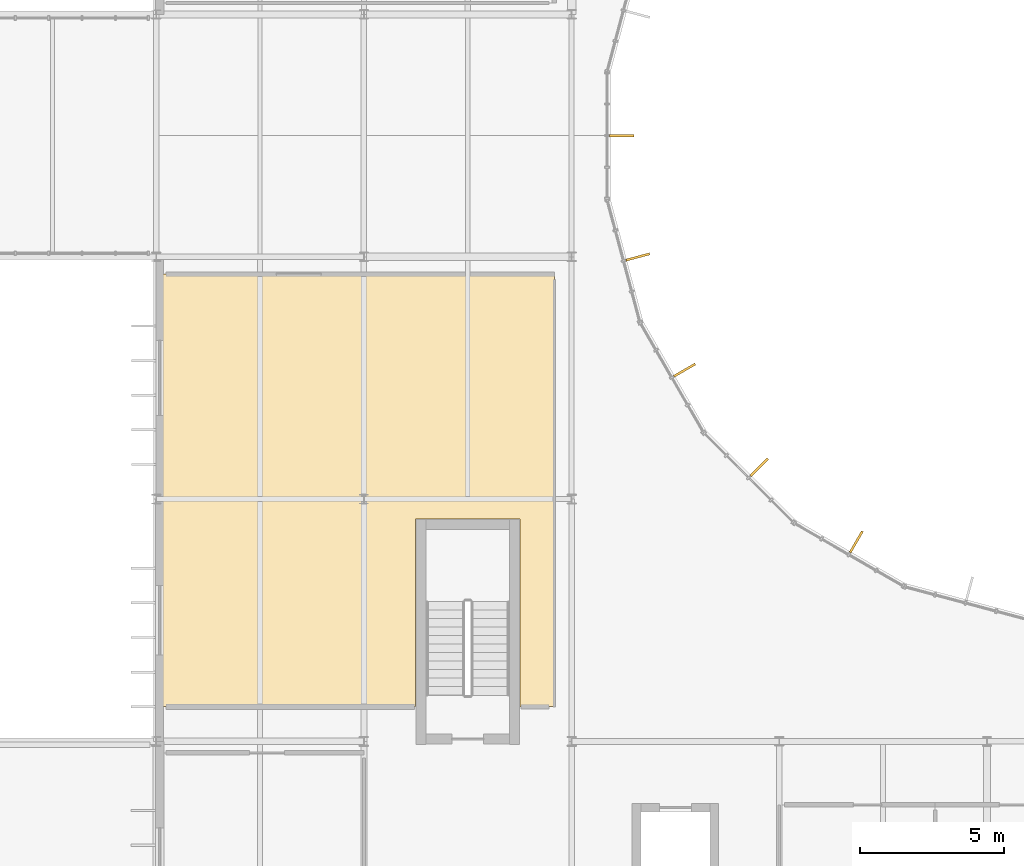
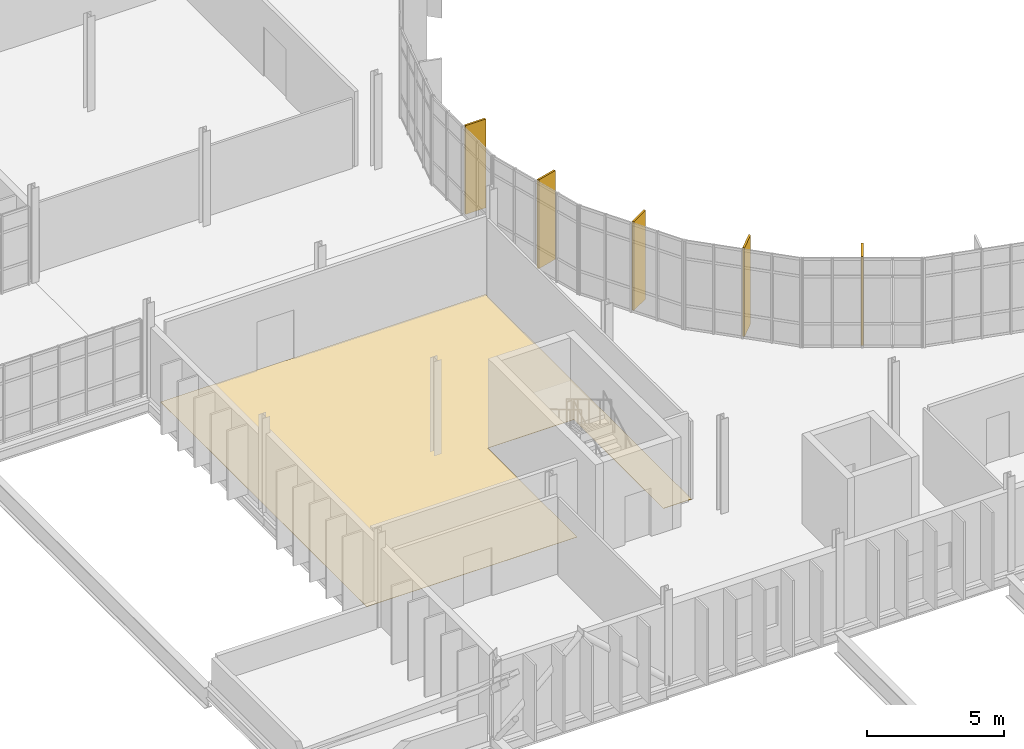
# One storey, part 89 of 99: 5 shading devices, 1 covering.
"""IFC4 building model written with IfcOpenShell, lengths in metres."""

from ifc_helpers import new_model, si_unit, direction, frame, origin, origin_2d, place, context, subcontext, project, spatial, polyline, rectangle, outline, extrude, material, layer, layer_set, type_object, element, save


model = new_model("IFC4")

# Units and contexts
model_context = context("Model", 3, precision=1e-05, world=origin(), true_north=direction((0.0, 1.0)))
body_context = subcontext(model_context, "Body", "Model", "MODEL_VIEW")
ifc_project = project(units=[si_unit("LENGTHUNIT", "METRE"), si_unit("AREAUNIT", "SQUARE_METRE"), si_unit("VOLUMEUNIT", "CUBIC_METRE"), si_unit("PLANEANGLEUNIT", "RADIAN"), si_unit("MASSUNIT", "GRAM", prefix="KILO")], contexts=[model_context])

# Site, building, storey
site_placement = place(None, origin())
site = spatial("IfcSite", under=ifc_project, at=site_placement, CompositionType="ELEMENT")
building_placement = place(site_placement, origin())
building = spatial("IfcBuilding", under=site, at=building_placement, Name="Qelthora Terrace Specialist Clinic", CompositionType="ELEMENT")
storey_placement = place(building_placement, frame((0.0, 0.0, 9.0)))
storey = spatial("IfcBuildingStorey", under=building, at=storey_placement, Name="L02", CompositionType="ELEMENT", Elevation=9.0)

# Covering
ifc_material_1 = material(Name="Antimicrobial clinical linoleum flooring", Category="other")
ifc_layer = layer(ifc_material_1, 0.011962890625)
ifc_layer_set = layer_set([ifc_layer], Name="Antimicrobial clinical linoleum flooring")
covering_type = type_object("IfcCoveringType", Name="COV-FLR-LINO-12", PredefinedType="FLOORING", material=ifc_layer_set)
covering_placement = place(storey_placement, origin())
element("IfcCovering", 1, at=covering_placement, inside=storey, type_object=covering_type, Name="Oncology Survivorship Clinic South L02-40B resilient linoleum flooring", PredefinedType="FLOORING", context=body_context, shape_type="SweptSolid", body=[
    extrude(outline(polyline([(106.2099609375, 43.199951171875), (106.2099609375, 49.7099609375), (102.590087890625, 49.7099609375), (102.590087890625, 43.199951171875), (93.75, 43.199951171875), (93.75, 58.199951171875), (107.39990234375, 58.199951171875), (107.39990234375, 43.199951171875), (106.2099609375, 43.199951171875)])), origin(), (0.0, 0.0, 1.0), 0.011962890625),
])

# Shading devices
ifc_material_2 = material(Name="Glulam timber GL28h", Category="wood")
shading_device_type = type_object("IfcShadingDeviceType", Name="SHD-FIN-850", PredefinedType="USERDEFINED", material=ifc_material_2)
for number, where, z_axis, x_axis, name in (
    (2, (109.73876953125, 63.0, 0.0), (0.0, 0.0, 1.0), (1.0, 0.0, 0.0), "Court solar fin FIN-0058"),
    (3, (110.292724609375, 58.791259765625, 0.0), (0.0, 0.0, 1.0), (0.965925826289, 0.258819045103, 0.0), "Court solar fin FIN-0059"),
    (4, (111.917236328125, 54.869384765625, 0.0), (0.0, 0.0, 1.0), (0.866025403784, 0.5, 0.0), "Court solar fin FIN-0060"),
    (5, (114.50146484375, 51.50146484375, 0.0), (0.0, 0.0, 1.0), (0.707106781187, 0.707106781187, 0.0), "Court solar fin FIN-0061"),
    (6, (117.869384765625, 48.917236328125, 0.0), (0.0, 0.0, 1.0), (0.5, 0.866025403784, 0.0), "Court solar fin FIN-0062"),
):
    element("IfcShadingDevice", number, at=place(storey_placement, frame(where, z_axis=z_axis, x_axis=x_axis)), inside=storey, type_object=shading_device_type, Name=name, ObjectType="FIN", PredefinedType="USERDEFINED", context=body_context, shape_type="SweptSolid", body=[
        extrude(rectangle(XDim=0.85009765625, YDim=0.080078125, at=origin_2d()), origin(), (0.0, 0.0, 1.0), 3.945068359375),
    ])

save(model, "model.ifc")
